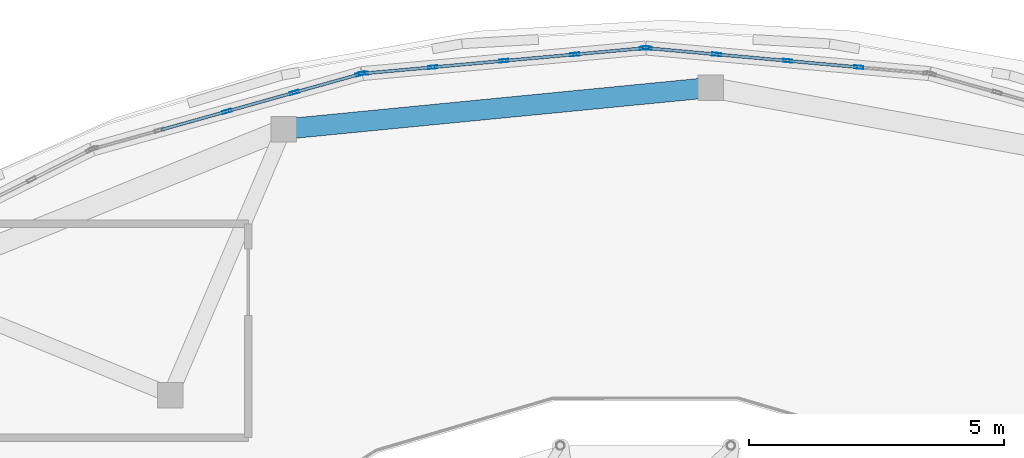
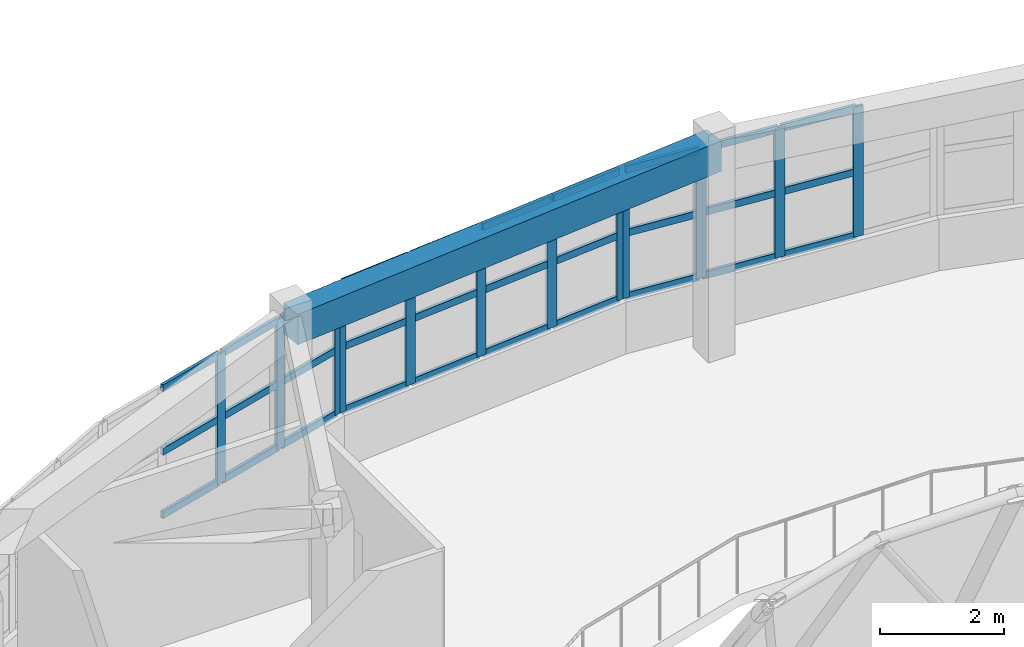
# One storey, part 24 of 38: 42 members, 1 beam, 3 elements without a shape of their own.
"""IFC4 building model written with IfcOpenShell, lengths in metres."""

from ifc_helpers import new_model, si_unit, direction, frame, origin, origin_2d, place, context, subcontext, project, spatial, rectangle, hollow_rectangle, extrude, material, layer, layer_set, material_profile, profile_set, type_object, element, aggregate, save


model = new_model("IFC4")

# Units and contexts
model_context = context("Model", 3, precision=1e-05, world=origin(), true_north=direction((0.0, 1.0)))
body_context = subcontext(model_context, "Body", "Model", "MODEL_VIEW")
ifc_project = project(units=[si_unit("LENGTHUNIT", "METRE"), si_unit("AREAUNIT", "SQUARE_METRE"), si_unit("VOLUMEUNIT", "CUBIC_METRE"), si_unit("PLANEANGLEUNIT", "RADIAN"), si_unit("MASSUNIT", "GRAM", prefix="KILO")], contexts=[model_context])

# Site, building, storey
site_placement = place(None, origin())
site = spatial("IfcSite", under=ifc_project, at=site_placement, CompositionType="ELEMENT")
building_placement = place(site_placement, origin())
building = spatial("IfcBuilding", under=site, at=building_placement, Name="Pelvatis Terrace Science Centre", CompositionType="ELEMENT")
storey_placement = place(building_placement, frame((0.0, 0.0, 24.300048828125)))
storey = spatial("IfcBuildingStorey", under=building, at=storey_placement, Name="L05", CompositionType="ELEMENT", Elevation=24.300048828125)

# Beam
ifc_material_1 = material(Name="Concrete C35/45", Category="concrete")
ifc_material_profile_1 = material_profile(ifc_material_1, rectangle(XDim=0.39990234375, YDim=0.60009765625, at=origin_2d()), Name="RC-BM 400x600")
ifc_profile_set_1 = profile_set([ifc_material_profile_1], Name="Concrete C35/45")
beam_type = type_object("IfcBeamType", Name="BM-RC-400x600", PredefinedType="BEAM", material=ifc_profile_set_1)
beam_placement = place(storey_placement, frame((110.4716796875, 104.4736328125, 3.9599609375), z_axis=(-0.995278052194, -0.097064920652, 0.0), x_axis=(0.097064920652, -0.995278052194, 0.0)))
element("IfcBeam", 1, at=beam_placement, inside=storey, type_object=beam_type, Name="Beam BM-L05-3125", PredefinedType="BEAM", context=body_context, shape_type="SweptSolid", body=[
    extrude(rectangle(XDim=0.39990234375, YDim=0.60009765625, at=origin_2d()), origin(), (0.0, 0.0, 1.0), 8.416015625),
])

# Curtain wall, members
ifc_material_2 = material(Name="Bronze-anodised aluminium and laminated glass", Category="aluminium")
ifc_layer = layer(ifc_material_2, 0.179931640625)
ifc_layer_set = layer_set([ifc_layer], Name="Bronze-anodised aluminium and laminated glass")
curtain_wall_type = type_object("IfcCurtainWallType", Name="CW-RIBBON-A", PredefinedType="NOTDEFINED", material=ifc_layer_set)
curtain_wall_1_placement = place(storey_placement, origin())
curtain_wall_1 = element("IfcCurtainWall", 2, at=curtain_wall_1_placement, inside=storey, type_object=curtain_wall_type, Name="Ribbon curtain wall CW-243 (L05)", PredefinedType="NOTDEFINED")
ifc_material_3 = material(Name="Bronze-anodised aluminium 6063-T6", Category="aluminium")
ifc_material_profile_2 = material_profile(ifc_material_3, hollow_rectangle(XDim=0.06005859375, YDim=0.179931640625, WallThickness=0.00390625, at=origin_2d()), Name="ALU-MUL 60x180")
ifc_profile_set_2 = profile_set([ifc_material_profile_2], Name="Bronze-anodised aluminium 6063-T6")
member_type_1 = type_object("IfcMemberType", Name="CWM-60x180", PredefinedType="MULLION", material=ifc_profile_set_2)
member_1_placement = place(storey_placement, frame((113.380615234375, 104.873046875, 1.02001953125), z_axis=(0.0, 0.0, 1.0), x_axis=(-0.089820432814, -0.995957975945, 0.0)))
member_1 = element("IfcMember", 3, at=member_1_placement, type_object=member_type_1, Name="CW-243 mullion 2", PredefinedType="MULLION", context=body_context, shape_type="SweptSolid", body=[
    extrude(hollow_rectangle(XDim=0.06005859375, YDim=0.179931640625, WallThickness=0.00390625, at=origin_2d()), origin(), (0.0, 0.0, 1.0), 2.559814453125),
])
member_2_placement = place(storey_placement, frame((111.987060546875, 104.99853515625, 1.02001953125), z_axis=(0.0, 0.0, 1.0), x_axis=(-0.089820432814, -0.995957975945, 0.0)))
member_2 = element("IfcMember", 4, at=member_2_placement, type_object=member_type_1, Name="CW-243 mullion 3", PredefinedType="MULLION", context=body_context, shape_type="SweptSolid", body=[
    extrude(hollow_rectangle(XDim=0.06005859375, YDim=0.179931640625, WallThickness=0.00390625, at=origin_2d()), origin(), (0.0, 0.0, 1.0), 2.559814453125),
])
member_3_placement = place(storey_placement, frame((110.593505859375, 105.124267578125, 1.02001953125), z_axis=(0.0, 0.0, 1.0), x_axis=(-0.089820432814, -0.995957975945, 0.0)))
member_3 = element("IfcMember", 5, at=member_3_placement, type_object=member_type_1, Name="CW-243 mullion 4", PredefinedType="MULLION", context=body_context, shape_type="SweptSolid", body=[
    extrude(hollow_rectangle(XDim=0.06005859375, YDim=0.179931640625, WallThickness=0.00390625, at=origin_2d()), origin(), (0.0, 0.0, 1.0), 2.559814453125),
])
member_4_placement = place(storey_placement, frame((109.22998046875, 105.247314453125, 1.02001953125), z_axis=(0.0, 0.0, 1.0), x_axis=(-0.089820432814, -0.995957975945, 0.0)))
member_4 = element("IfcMember", 6, at=member_4_placement, type_object=member_type_1, Name="CW-243 mullion 5", PredefinedType="MULLION", context=body_context, shape_type="SweptSolid", body=[
    extrude(hollow_rectangle(XDim=0.06005859375, YDim=0.179931640625, WallThickness=0.00390625, at=origin_2d()), origin(), (0.0, 0.0, 1.0), 2.559814453125),
])

curtain_wall_2_placement = place(storey_placement, origin())
curtain_wall_2 = element("IfcCurtainWall", 7, at=curtain_wall_2_placement, inside=storey, type_object=curtain_wall_type, Name="Ribbon curtain wall CW-244 (L05)", PredefinedType="NOTDEFINED")
member_5_placement = place(storey_placement, frame((109.170166015625, 105.247314453125, 1.02001953125), z_axis=(0.0, 0.0, 1.0), x_axis=(0.089820432814, -0.995957975945, 0.0)))
member_5 = element("IfcMember", 8, at=member_5_placement, type_object=member_type_1, Name="CW-244 mullion 1", PredefinedType="MULLION", context=body_context, shape_type="SweptSolid", body=[
    extrude(hollow_rectangle(XDim=0.06005859375, YDim=0.179931640625, WallThickness=0.00390625, at=origin_2d()), origin(), (0.0, 0.0, 1.0), 2.559814453125),
])
member_6_placement = place(storey_placement, frame((107.806396484375, 105.124267578125, 1.02001953125), z_axis=(0.0, 0.0, 1.0), x_axis=(0.089820432814, -0.995957975945, 0.0)))
member_6 = element("IfcMember", 9, at=member_6_placement, type_object=member_type_1, Name="CW-244 mullion 2", PredefinedType="MULLION", context=body_context, shape_type="SweptSolid", body=[
    extrude(hollow_rectangle(XDim=0.06005859375, YDim=0.179931640625, WallThickness=0.00390625, at=origin_2d()), origin(), (0.0, 0.0, 1.0), 2.559814453125),
])
member_7_placement = place(storey_placement, frame((106.412841796875, 104.99853515625, 1.02001953125), z_axis=(0.0, 0.0, 1.0), x_axis=(0.089820432814, -0.995957975945, 0.0)))
member_7 = element("IfcMember", 10, at=member_7_placement, type_object=member_type_1, Name="CW-244 mullion 3", PredefinedType="MULLION", context=body_context, shape_type="SweptSolid", body=[
    extrude(hollow_rectangle(XDim=0.06005859375, YDim=0.179931640625, WallThickness=0.00390625, at=origin_2d()), origin(), (0.0, 0.0, 1.0), 2.559814453125),
])
member_8_placement = place(storey_placement, frame((105.01953125, 104.873046875, 1.02001953125), z_axis=(0.0, 0.0, 1.0), x_axis=(0.089820432814, -0.995957975945, 0.0)))
member_8 = element("IfcMember", 11, at=member_8_placement, type_object=member_type_1, Name="CW-244 mullion 4", PredefinedType="MULLION", context=body_context, shape_type="SweptSolid", body=[
    extrude(hollow_rectangle(XDim=0.06005859375, YDim=0.179931640625, WallThickness=0.00390625, at=origin_2d()), origin(), (0.0, 0.0, 1.0), 2.559814453125),
])
member_9_placement = place(storey_placement, frame((103.65576171875, 104.75, 1.02001953125), z_axis=(0.0, 0.0, 1.0), x_axis=(0.089820432814, -0.995957975945, 0.0)))
member_9 = element("IfcMember", 12, at=member_9_placement, type_object=member_type_1, Name="CW-244 mullion 5", PredefinedType="MULLION", context=body_context, shape_type="SweptSolid", body=[
    extrude(hollow_rectangle(XDim=0.06005859375, YDim=0.179931640625, WallThickness=0.00390625, at=origin_2d()), origin(), (0.0, 0.0, 1.0), 2.559814453125),
])

curtain_wall_3_placement = place(storey_placement, origin())
curtain_wall_3 = element("IfcCurtainWall", 13, at=curtain_wall_3_placement, inside=storey, type_object=curtain_wall_type, Name="Ribbon curtain wall CW-245 (L05)", PredefinedType="NOTDEFINED")
member_10_placement = place(storey_placement, frame((103.596923828125, 104.7392578125, 1.02001953125), z_axis=(0.0, 0.0, 1.0), x_axis=(0.269694685663, -0.962945884526, 0.0)))
member_10 = element("IfcMember", 14, at=member_10_placement, type_object=member_type_1, Name="CW-245 mullion 1", PredefinedType="MULLION", context=body_context, shape_type="SweptSolid", body=[
    extrude(hollow_rectangle(XDim=0.06005859375, YDim=0.179931640625, WallThickness=0.00390625, at=origin_2d()), origin(), (0.0, 0.0, 1.0), 2.559814453125),
])
member_11_placement = place(storey_placement, frame((102.30224609375, 104.37646484375, 1.02001953125), z_axis=(0.0, 0.0, 1.0), x_axis=(0.269694685663, -0.962945884526, 0.0)))
member_11 = element("IfcMember", 15, at=member_11_placement, type_object=member_type_1, Name="CW-245 mullion 2", PredefinedType="MULLION", context=body_context, shape_type="SweptSolid", body=[
    extrude(hollow_rectangle(XDim=0.06005859375, YDim=0.179931640625, WallThickness=0.00390625, at=origin_2d()), origin(), (0.0, 0.0, 1.0), 2.559814453125),
])
member_12_placement = place(storey_placement, frame((100.978515625, 104.005859375, 1.02001953125), z_axis=(0.0, 0.0, 1.0), x_axis=(0.269694685663, -0.962945884526, 0.0)))
member_12 = element("IfcMember", 16, at=member_12_placement, type_object=member_type_1, Name="CW-245 mullion 3", PredefinedType="MULLION", context=body_context, shape_type="SweptSolid", body=[
    extrude(hollow_rectangle(XDim=0.06005859375, YDim=0.179931640625, WallThickness=0.00390625, at=origin_2d()), origin(), (0.0, 0.0, 1.0), 2.559814453125),
])

# Member
ifc_material_4 = material(Name="Bronze-anodised aluminium 6063-T6", Category="aluminium")
ifc_material_profile_3 = material_profile(ifc_material_4, hollow_rectangle(XDim=0.06005859375, YDim=0.139892578125, WallThickness=0.00390625, at=origin_2d()), Name="ALU-TRN 60x140")
ifc_profile_set_3 = profile_set([ifc_material_profile_3], Name="Bronze-anodised aluminium 6063-T6")
member_type_2 = type_object("IfcMemberType", Name="CWT-60x140", PredefinedType="USERDEFINED", material=ifc_profile_set_3)
member_13_placement = place(storey_placement, frame((113.3505859375, 104.875732421875, 1.050048828125), z_axis=(-0.995969065903, 0.089697378807, 0.0), x_axis=(-0.089697378807, -0.995969065903, 0.0)))
member_13 = element("IfcMember", 17, at=member_13_placement, type_object=member_type_2, Name="CW-243 transom 2.1", ObjectType="TRANSOM", PredefinedType="USERDEFINED", context=body_context, shape_type="SweptSolid", body=[
    extrude(hollow_rectangle(XDim=0.06005859375, YDim=0.139892578125, WallThickness=0.00390625, at=origin_2d()), origin(), (0.0, 0.0, 1.0), 1.339111328125),
])

member_14_placement = place(storey_placement, frame((113.3505859375, 104.875732421875, 2.300048828125), z_axis=(-0.995969065903, 0.089697378807, 0.0), x_axis=(-0.089697378807, -0.995969065903, 0.0)))
member_14 = element("IfcMember", 18, at=member_14_placement, type_object=member_type_2, Name="CW-243 transom 2.2", ObjectType="TRANSOM", PredefinedType="USERDEFINED", context=body_context, shape_type="SweptSolid", body=[
    extrude(hollow_rectangle(XDim=0.06005859375, YDim=0.139892578125, WallThickness=0.00390625, at=origin_2d()), origin(), (0.0, 0.0, 1.0), 1.339111328125),
])

member_15_placement = place(storey_placement, frame((113.3505859375, 104.875732421875, 3.550048828125), z_axis=(-0.995969065903, 0.089697378807, 0.0), x_axis=(-0.089697378807, -0.995969065903, 0.0)))
member_15 = element("IfcMember", 19, at=member_15_placement, type_object=member_type_2, Name="CW-243 transom 2.3", ObjectType="TRANSOM", PredefinedType="USERDEFINED", context=body_context, shape_type="SweptSolid", body=[
    extrude(hollow_rectangle(XDim=0.06005859375, YDim=0.139892578125, WallThickness=0.00390625, at=origin_2d()), origin(), (0.0, 0.0, 1.0), 1.339111328125),
])

member_16_placement = place(storey_placement, frame((111.957275390625, 105.00146484375, 1.050048828125), z_axis=(-0.995970532314, 0.089681094784, 0.0), x_axis=(-0.089681094784, -0.995970532314, 0.0)))
member_16 = element("IfcMember", 20, at=member_16_placement, type_object=member_type_2, Name="CW-243 transom 3.1", ObjectType="TRANSOM", PredefinedType="USERDEFINED", context=body_context, shape_type="SweptSolid", body=[
    extrude(hollow_rectangle(XDim=0.06005859375, YDim=0.139892578125, WallThickness=0.00390625, at=origin_2d()), origin(), (0.0, 0.0, 1.0), 1.33935546875),
])

member_17_placement = place(storey_placement, frame((111.957275390625, 105.00146484375, 2.300048828125), z_axis=(-0.995970532314, 0.089681094784, 0.0), x_axis=(-0.089681094784, -0.995970532314, 0.0)))
member_17 = element("IfcMember", 21, at=member_17_placement, type_object=member_type_2, Name="CW-243 transom 3.2", ObjectType="TRANSOM", PredefinedType="USERDEFINED", context=body_context, shape_type="SweptSolid", body=[
    extrude(hollow_rectangle(XDim=0.06005859375, YDim=0.139892578125, WallThickness=0.00390625, at=origin_2d()), origin(), (0.0, 0.0, 1.0), 1.33935546875),
])

member_18_placement = place(storey_placement, frame((111.957275390625, 105.00146484375, 3.550048828125), z_axis=(-0.995970532314, 0.089681094784, 0.0), x_axis=(-0.089681094784, -0.995970532314, 0.0)))
member_18 = element("IfcMember", 22, at=member_18_placement, type_object=member_type_2, Name="CW-243 transom 3.3", ObjectType="TRANSOM", PredefinedType="USERDEFINED", context=body_context, shape_type="SweptSolid", body=[
    extrude(hollow_rectangle(XDim=0.06005859375, YDim=0.139892578125, WallThickness=0.00390625, at=origin_2d()), origin(), (0.0, 0.0, 1.0), 1.33935546875),
])

member_19_placement = place(storey_placement, frame((110.563720703125, 105.126953125, 1.050048828125), z_axis=(-0.995952600841, 0.089880013781, 0.0), x_axis=(-0.089880013781, -0.995952600841, 0.0)))
member_19 = element("IfcMember", 23, at=member_19_placement, type_object=member_type_2, Name="CW-243 transom 4.1", ObjectType="TRANSOM", PredefinedType="USERDEFINED", context=body_context, shape_type="SweptSolid", body=[
    extrude(hollow_rectangle(XDim=0.06005859375, YDim=0.139892578125, WallThickness=0.00390625, at=origin_2d()), origin(), (0.0, 0.0, 1.0), 1.309326171875),
])

member_20_placement = place(storey_placement, frame((110.563720703125, 105.126953125, 2.300048828125), z_axis=(-0.995952600841, 0.089880013781, 0.0), x_axis=(-0.089880013781, -0.995952600841, 0.0)))
member_20 = element("IfcMember", 24, at=member_20_placement, type_object=member_type_2, Name="CW-243 transom 4.2", ObjectType="TRANSOM", PredefinedType="USERDEFINED", context=body_context, shape_type="SweptSolid", body=[
    extrude(hollow_rectangle(XDim=0.06005859375, YDim=0.139892578125, WallThickness=0.00390625, at=origin_2d()), origin(), (0.0, 0.0, 1.0), 1.309326171875),
])

member_21_placement = place(storey_placement, frame((110.563720703125, 105.126953125, 3.550048828125), z_axis=(-0.995952600841, 0.089880013781, 0.0), x_axis=(-0.089880013781, -0.995952600841, 0.0)))
member_21 = element("IfcMember", 25, at=member_21_placement, type_object=member_type_2, Name="CW-243 transom 4.3", ObjectType="TRANSOM", PredefinedType="USERDEFINED", context=body_context, shape_type="SweptSolid", body=[
    extrude(hollow_rectangle(XDim=0.06005859375, YDim=0.139892578125, WallThickness=0.00390625, at=origin_2d()), origin(), (0.0, 0.0, 1.0), 1.309326171875),
])

aggregate(curtain_wall_1, [member_1, member_2, member_3, member_4, member_13, member_14, member_15, member_16, member_17, member_18, member_19, member_20, member_21])

member_22_placement = place(storey_placement, frame((109.14013671875, 105.24462890625, 1.050048828125), z_axis=(-0.995951094015, -0.089896709235, 0.0), x_axis=(0.089896709235, -0.995951094015, 0.0)))
member_22 = element("IfcMember", 26, at=member_22_placement, type_object=member_type_2, Name="CW-244 transom 1.1", ObjectType="TRANSOM", PredefinedType="USERDEFINED", context=body_context, shape_type="SweptSolid", body=[
    extrude(hollow_rectangle(XDim=0.06005859375, YDim=0.139892578125, WallThickness=0.00390625, at=origin_2d()), origin(), (0.0, 0.0, 1.0), 1.30908203125),
])

member_23_placement = place(storey_placement, frame((109.14013671875, 105.24462890625, 2.300048828125), z_axis=(-0.995951094015, -0.089896709235, 0.0), x_axis=(0.089896709235, -0.995951094015, 0.0)))
member_23 = element("IfcMember", 27, at=member_23_placement, type_object=member_type_2, Name="CW-244 transom 1.2", ObjectType="TRANSOM", PredefinedType="USERDEFINED", context=body_context, shape_type="SweptSolid", body=[
    extrude(hollow_rectangle(XDim=0.06005859375, YDim=0.139892578125, WallThickness=0.00390625, at=origin_2d()), origin(), (0.0, 0.0, 1.0), 1.30908203125),
])

member_24_placement = place(storey_placement, frame((109.14013671875, 105.24462890625, 3.550048828125), z_axis=(-0.995951094015, -0.089896709235, 0.0), x_axis=(0.089896709235, -0.995951094015, 0.0)))
member_24 = element("IfcMember", 28, at=member_24_placement, type_object=member_type_2, Name="CW-244 transom 1.3", ObjectType="TRANSOM", PredefinedType="USERDEFINED", context=body_context, shape_type="SweptSolid", body=[
    extrude(hollow_rectangle(XDim=0.06005859375, YDim=0.139892578125, WallThickness=0.00390625, at=origin_2d()), origin(), (0.0, 0.0, 1.0), 1.30908203125),
])

member_25_placement = place(storey_placement, frame((107.776611328125, 105.12158203125, 1.050048828125), z_axis=(-0.995969065903, -0.089697378807, 0.0), x_axis=(0.089697378807, -0.995969065903, 0.0)))
member_25 = element("IfcMember", 29, at=member_25_placement, type_object=member_type_2, Name="CW-244 transom 2.1", ObjectType="TRANSOM", PredefinedType="USERDEFINED", context=body_context, shape_type="SweptSolid", body=[
    extrude(hollow_rectangle(XDim=0.06005859375, YDim=0.139892578125, WallThickness=0.00390625, at=origin_2d()), origin(), (0.0, 0.0, 1.0), 1.339111328125),
])

member_26_placement = place(storey_placement, frame((107.776611328125, 105.12158203125, 2.300048828125), z_axis=(-0.995969065903, -0.089697378807, 0.0), x_axis=(0.089697378807, -0.995969065903, 0.0)))
member_26 = element("IfcMember", 30, at=member_26_placement, type_object=member_type_2, Name="CW-244 transom 2.2", ObjectType="TRANSOM", PredefinedType="USERDEFINED", context=body_context, shape_type="SweptSolid", body=[
    extrude(hollow_rectangle(XDim=0.06005859375, YDim=0.139892578125, WallThickness=0.00390625, at=origin_2d()), origin(), (0.0, 0.0, 1.0), 1.339111328125),
])

member_27_placement = place(storey_placement, frame((107.776611328125, 105.12158203125, 3.550048828125), z_axis=(-0.995969065903, -0.089697378807, 0.0), x_axis=(0.089697378807, -0.995969065903, 0.0)))
member_27 = element("IfcMember", 31, at=member_27_placement, type_object=member_type_2, Name="CW-244 transom 2.3", ObjectType="TRANSOM", PredefinedType="USERDEFINED", context=body_context, shape_type="SweptSolid", body=[
    extrude(hollow_rectangle(XDim=0.06005859375, YDim=0.139892578125, WallThickness=0.00390625, at=origin_2d()), origin(), (0.0, 0.0, 1.0), 1.339111328125),
])

member_28_placement = place(storey_placement, frame((106.383056640625, 104.995849609375, 1.050048828125), z_axis=(-0.995969065903, -0.089697378807, 0.0), x_axis=(0.089697378807, -0.995969065903, 0.0)))
member_28 = element("IfcMember", 32, at=member_28_placement, type_object=member_type_2, Name="CW-244 transom 3.1", ObjectType="TRANSOM", PredefinedType="USERDEFINED", context=body_context, shape_type="SweptSolid", body=[
    extrude(hollow_rectangle(XDim=0.06005859375, YDim=0.139892578125, WallThickness=0.00390625, at=origin_2d()), origin(), (0.0, 0.0, 1.0), 1.339111328125),
])

member_29_placement = place(storey_placement, frame((106.383056640625, 104.995849609375, 2.300048828125), z_axis=(-0.995969065903, -0.089697378807, 0.0), x_axis=(0.089697378807, -0.995969065903, 0.0)))
member_29 = element("IfcMember", 33, at=member_29_placement, type_object=member_type_2, Name="CW-244 transom 3.2", ObjectType="TRANSOM", PredefinedType="USERDEFINED", context=body_context, shape_type="SweptSolid", body=[
    extrude(hollow_rectangle(XDim=0.06005859375, YDim=0.139892578125, WallThickness=0.00390625, at=origin_2d()), origin(), (0.0, 0.0, 1.0), 1.339111328125),
])

member_30_placement = place(storey_placement, frame((106.383056640625, 104.995849609375, 3.550048828125), z_axis=(-0.995969065903, -0.089697378807, 0.0), x_axis=(0.089697378807, -0.995969065903, 0.0)))
member_30 = element("IfcMember", 34, at=member_30_placement, type_object=member_type_2, Name="CW-244 transom 3.3", ObjectType="TRANSOM", PredefinedType="USERDEFINED", context=body_context, shape_type="SweptSolid", body=[
    extrude(hollow_rectangle(XDim=0.06005859375, YDim=0.139892578125, WallThickness=0.00390625, at=origin_2d()), origin(), (0.0, 0.0, 1.0), 1.339111328125),
])

member_31_placement = place(storey_placement, frame((104.989501953125, 104.870361328125, 1.050048828125), z_axis=(-0.995952600841, -0.089880013781, 0.0), x_axis=(0.089880013781, -0.995952600841, 0.0)))
member_31 = element("IfcMember", 35, at=member_31_placement, type_object=member_type_2, Name="CW-244 transom 4.1", ObjectType="TRANSOM", PredefinedType="USERDEFINED", context=body_context, shape_type="SweptSolid", body=[
    extrude(hollow_rectangle(XDim=0.06005859375, YDim=0.139892578125, WallThickness=0.00390625, at=origin_2d()), origin(), (0.0, 0.0, 1.0), 1.309326171875),
])

member_32_placement = place(storey_placement, frame((104.989501953125, 104.870361328125, 2.300048828125), z_axis=(-0.995952600841, -0.089880013781, 0.0), x_axis=(0.089880013781, -0.995952600841, 0.0)))
member_32 = element("IfcMember", 36, at=member_32_placement, type_object=member_type_2, Name="CW-244 transom 4.2", ObjectType="TRANSOM", PredefinedType="USERDEFINED", context=body_context, shape_type="SweptSolid", body=[
    extrude(hollow_rectangle(XDim=0.06005859375, YDim=0.139892578125, WallThickness=0.00390625, at=origin_2d()), origin(), (0.0, 0.0, 1.0), 1.309326171875),
])

member_33_placement = place(storey_placement, frame((104.989501953125, 104.870361328125, 3.550048828125), z_axis=(-0.995952600841, -0.089880013781, 0.0), x_axis=(0.089880013781, -0.995952600841, 0.0)))
member_33 = element("IfcMember", 37, at=member_33_placement, type_object=member_type_2, Name="CW-244 transom 4.3", ObjectType="TRANSOM", PredefinedType="USERDEFINED", context=body_context, shape_type="SweptSolid", body=[
    extrude(hollow_rectangle(XDim=0.06005859375, YDim=0.139892578125, WallThickness=0.00390625, at=origin_2d()), origin(), (0.0, 0.0, 1.0), 1.309326171875),
])

aggregate(curtain_wall_2, [member_5, member_6, member_7, member_8, member_9, member_22, member_23, member_24, member_25, member_26, member_27, member_28, member_29, member_30, member_31, member_32, member_33])

member_34_placement = place(storey_placement, frame((103.568115234375, 104.731201171875, 1.050048828125), z_axis=(-0.96295217629, -0.269672219885, 0.0), x_axis=(0.269672219885, -0.96295217629, 0.0)))
member_34 = element("IfcMember", 38, at=member_34_placement, type_object=member_type_2, Name="CW-245 transom 1.1", ObjectType="TRANSOM", PredefinedType="USERDEFINED", context=body_context, shape_type="SweptSolid", body=[
    extrude(hollow_rectangle(XDim=0.06005859375, YDim=0.139892578125, WallThickness=0.00390625, at=origin_2d()), origin(), (0.0, 0.0, 1.0), 1.28466796875),
])

member_35_placement = place(storey_placement, frame((103.568115234375, 104.731201171875, 2.300048828125), z_axis=(-0.96295217629, -0.269672219885, 0.0), x_axis=(0.269672219885, -0.96295217629, 0.0)))
member_35 = element("IfcMember", 39, at=member_35_placement, type_object=member_type_2, Name="CW-245 transom 1.2", ObjectType="TRANSOM", PredefinedType="USERDEFINED", context=body_context, shape_type="SweptSolid", body=[
    extrude(hollow_rectangle(XDim=0.06005859375, YDim=0.139892578125, WallThickness=0.00390625, at=origin_2d()), origin(), (0.0, 0.0, 1.0), 1.28466796875),
])

member_36_placement = place(storey_placement, frame((103.568115234375, 104.731201171875, 3.550048828125), z_axis=(-0.96295217629, -0.269672219885, 0.0), x_axis=(0.269672219885, -0.96295217629, 0.0)))
member_36 = element("IfcMember", 40, at=member_36_placement, type_object=member_type_2, Name="CW-245 transom 1.3", ObjectType="TRANSOM", PredefinedType="USERDEFINED", context=body_context, shape_type="SweptSolid", body=[
    extrude(hollow_rectangle(XDim=0.06005859375, YDim=0.139892578125, WallThickness=0.00390625, at=origin_2d()), origin(), (0.0, 0.0, 1.0), 1.28466796875),
])

member_37_placement = place(storey_placement, frame((102.2734375, 104.368408203125, 1.050048828125), z_axis=(-0.962967876596, -0.269616150563, 0.0), x_axis=(0.269616150563, -0.962967876596, 0.0)))
member_37 = element("IfcMember", 41, at=member_37_placement, type_object=member_type_2, Name="CW-245 transom 2.1", ObjectType="TRANSOM", PredefinedType="USERDEFINED", context=body_context, shape_type="SweptSolid", body=[
    extrude(hollow_rectangle(XDim=0.06005859375, YDim=0.139892578125, WallThickness=0.00390625, at=origin_2d()), origin(), (0.0, 0.0, 1.0), 1.314697265625),
])

member_38_placement = place(storey_placement, frame((102.2734375, 104.368408203125, 2.300048828125), z_axis=(-0.962967876596, -0.269616150563, 0.0), x_axis=(0.269616150563, -0.962967876596, 0.0)))
member_38 = element("IfcMember", 42, at=member_38_placement, type_object=member_type_2, Name="CW-245 transom 2.2", ObjectType="TRANSOM", PredefinedType="USERDEFINED", context=body_context, shape_type="SweptSolid", body=[
    extrude(hollow_rectangle(XDim=0.06005859375, YDim=0.139892578125, WallThickness=0.00390625, at=origin_2d()), origin(), (0.0, 0.0, 1.0), 1.314697265625),
])

member_39_placement = place(storey_placement, frame((102.2734375, 104.368408203125, 3.550048828125), z_axis=(-0.962967876596, -0.269616150563, 0.0), x_axis=(0.269616150563, -0.962967876596, 0.0)))
member_39 = element("IfcMember", 43, at=member_39_placement, type_object=member_type_2, Name="CW-245 transom 2.3", ObjectType="TRANSOM", PredefinedType="USERDEFINED", context=body_context, shape_type="SweptSolid", body=[
    extrude(hollow_rectangle(XDim=0.06005859375, YDim=0.139892578125, WallThickness=0.00390625, at=origin_2d()), origin(), (0.0, 0.0, 1.0), 1.314697265625),
])

member_40_placement = place(storey_placement, frame((100.94970703125, 103.997802734375, 1.050048828125), z_axis=(-0.962954374923, -0.269664368831, 0.0), x_axis=(0.269664368831, -0.962954374923, 0.0)))
member_40 = element("IfcMember", 44, at=member_40_placement, type_object=member_type_2, Name="CW-245 transom 3.1", ObjectType="TRANSOM", PredefinedType="USERDEFINED", context=body_context, shape_type="SweptSolid", body=[
    extrude(hollow_rectangle(XDim=0.06005859375, YDim=0.139892578125, WallThickness=0.00390625, at=origin_2d()), origin(), (0.0, 0.0, 1.0), 1.314453125),
])

member_41_placement = place(storey_placement, frame((100.94970703125, 103.997802734375, 2.300048828125), z_axis=(-0.962954374923, -0.269664368831, 0.0), x_axis=(0.269664368831, -0.962954374923, 0.0)))
member_41 = element("IfcMember", 45, at=member_41_placement, type_object=member_type_2, Name="CW-245 transom 3.2", ObjectType="TRANSOM", PredefinedType="USERDEFINED", context=body_context, shape_type="SweptSolid", body=[
    extrude(hollow_rectangle(XDim=0.06005859375, YDim=0.139892578125, WallThickness=0.00390625, at=origin_2d()), origin(), (0.0, 0.0, 1.0), 1.314453125),
])

member_42_placement = place(storey_placement, frame((100.94970703125, 103.997802734375, 3.550048828125), z_axis=(-0.962954374923, -0.269664368831, 0.0), x_axis=(0.269664368831, -0.962954374923, 0.0)))
member_42 = element("IfcMember", 46, at=member_42_placement, type_object=member_type_2, Name="CW-245 transom 3.3", ObjectType="TRANSOM", PredefinedType="USERDEFINED", context=body_context, shape_type="SweptSolid", body=[
    extrude(hollow_rectangle(XDim=0.06005859375, YDim=0.139892578125, WallThickness=0.00390625, at=origin_2d()), origin(), (0.0, 0.0, 1.0), 1.314453125),
])

aggregate(curtain_wall_3, [member_10, member_11, member_12, member_34, member_35, member_36, member_37, member_38, member_39, member_40, member_41, member_42])

save(model, "model.ifc")
